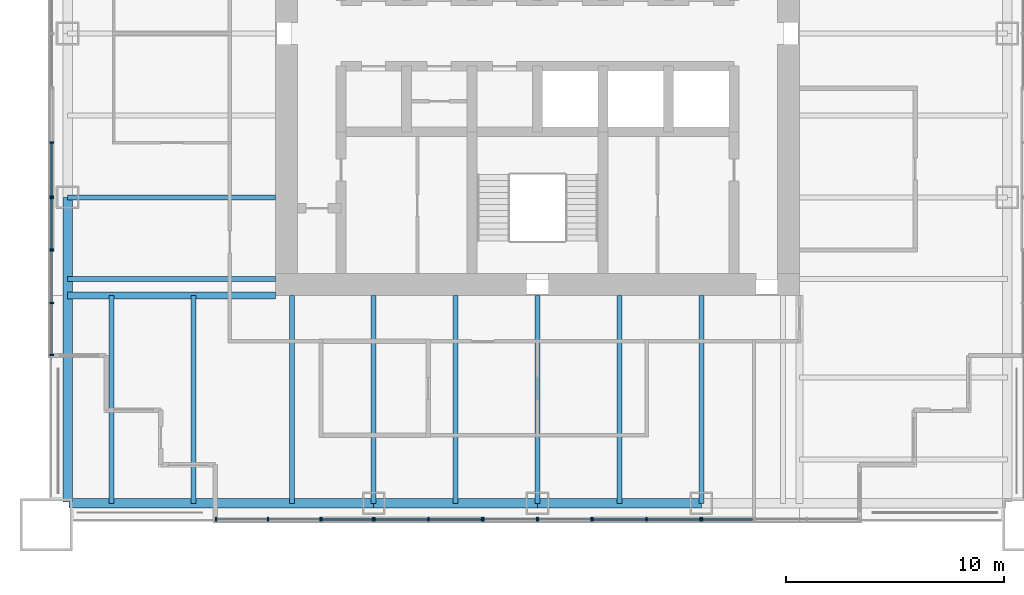
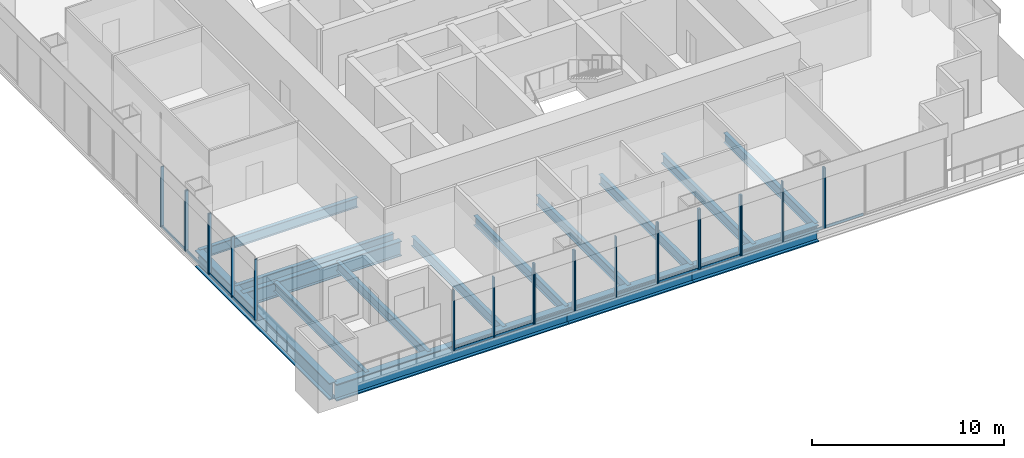
# One storey, part 2 of 13: 37 members, 15 beams, 10 elements without a shape of their own.
"""IFC4 building model written with IfcOpenShell, lengths in metres."""

from ifc_helpers import new_model, si_unit, direction, frame, origin, origin_2d, place, context, subcontext, project, spatial, rectangle, i_section, extrude, material, material_profile, profile_set, type_object, element, aggregate, save


model = new_model("IFC4")

# Units and contexts
model_context = context("Model", 3, precision=1e-05, world=origin(), true_north=direction((0.0, 1.0)))
body_context = subcontext(model_context, "Body", "Model", "MODEL_VIEW")
ifc_project = project(units=[si_unit("LENGTHUNIT", "METRE"), si_unit("AREAUNIT", "SQUARE_METRE"), si_unit("VOLUMEUNIT", "CUBIC_METRE"), si_unit("PLANEANGLEUNIT", "RADIAN"), si_unit("MASSUNIT", "GRAM", prefix="KILO")], contexts=[model_context])

# Site, building, storey
site_placement = place(None, origin())
site = spatial("IfcSite", under=ifc_project, at=site_placement, CompositionType="ELEMENT")
building_placement = place(site_placement, origin())
building = spatial("IfcBuilding", under=site, at=building_placement, Name="Tarangal Relay Tower", CompositionType="ELEMENT")
storey_placement = place(building_placement, frame((0.0, 0.0, 237.89990234375)))
storey = spatial("IfcBuildingStorey", under=building, at=storey_placement, Name="L51", CompositionType="ELEMENT", Elevation=237.89990234375)

# Beams
ifc_material_1 = material(Name="Steel ASTM A992", Category="steel")
ifc_material_profile_1 = material_profile(ifc_material_1, i_section(OverallWidth=0.227783203125, OverallDepth=0.60205078125, WebThickness=0.010498046875, FlangeThickness=0.014892578125, at=origin_2d()), Name="W24X68")
ifc_profile_set_1 = profile_set([ifc_material_profile_1], Name="Steel ASTM A992")
beam_type_1 = type_object("IfcBeamType", Name="Corner beam W24X68", PredefinedType="JOIST", material=ifc_profile_set_1)
for number, where, z_axis, x_axis, name in (
    (1, (-15.75, -12.0, -0.450927734375), (0.0, -1.0, 0.0), (1.0, 0.0, 0.0), "Corner beam CB11 S L51"),
    (2, (-19.5, -12.0, -0.450927734375), (0.0, -1.0, 0.0), (1.0, 0.0, 0.0), "Corner beam CB11 S L51"),
):
    element("IfcBeam", number, at=place(storey_placement, frame(where, z_axis=z_axis, x_axis=x_axis)), inside=storey, type_object=beam_type_1, Name=name, PredefinedType="JOIST", context=body_context, shape_type="SweptSolid", body=[
        extrude(i_section(OverallWidth=0.227783203125, OverallDepth=0.60205078125, WebThickness=0.010498046875, FlangeThickness=0.014892578125, at=origin_2d()), origin(), (0.0, 0.0, 1.0), 9.514892578125),
    ])
ifc_material_profile_2 = material_profile(ifc_material_1, i_section(OverallWidth=0.307373046875, OverallDepth=0.9423828125, WebThickness=0.022216796875, FlangeThickness=0.039794921875, at=origin_2d()), Name="W36X232")
ifc_profile_set_2 = profile_set([ifc_material_profile_2], Name="Steel ASTM A992")
beam_type_2 = type_object("IfcBeamType", Name="Corner girder W36X232", PredefinedType="BEAM", material=ifc_profile_set_2)
beam_placement = place(storey_placement, frame((-12.0, -12.0, -0.62109375), z_axis=(-1.0, 0.0, 0.0), x_axis=(0.0, -1.0, 0.0)))
element("IfcBeam", 3, at=beam_placement, inside=storey, type_object=beam_type_2, Name="Corner girder CG4 S L51", PredefinedType="BEAM", context=body_context, shape_type="SweptSolid", body=[
    extrude(i_section(OverallWidth=0.307373046875, OverallDepth=0.9423828125, WebThickness=0.022216796875, FlangeThickness=0.039794921875, at=origin_2d()), origin(), (0.0, 0.0, 1.0), 9.514892578125),
])
ifc_material_profile_3 = material_profile(ifc_material_1, i_section(OverallWidth=0.41650390625, OverallDepth=1.0693359375, WebThickness=0.0390625, FlangeThickness=0.070068359375, at=origin_2d()), Name="W40X503")
ifc_profile_set_3 = profile_set([ifc_material_profile_3], Name="Steel ASTM A992")
beam_type_3 = type_object("IfcBeamType", Name="Edge girder W40X503", PredefinedType="SPANDREL", material=ifc_profile_set_3)
for number, where, z_axis, x_axis, name in (
    (4, (7.5, -21.514892578125, -0.6845703125), (-1.0, 0.0, 0.0), (0.0, -1.0, 0.0), "Edge girder EG8 S L51"),
    (5, (0.0, -21.514892578125, -0.6845703125), (-1.0, 0.0, 0.0), (0.0, -1.0, 0.0), "Edge girder EG8 S L51"),
):
    element("IfcBeam", number, at=place(storey_placement, frame(where, z_axis=z_axis, x_axis=x_axis)), inside=storey, type_object=beam_type_3, Name=name, PredefinedType="SPANDREL", context=body_context, shape_type="SweptSolid", body=[
        extrude(i_section(OverallWidth=0.41650390625, OverallDepth=1.0693359375, WebThickness=0.0390625, FlangeThickness=0.070068359375, at=origin_2d()), origin(), (0.0, 0.0, 1.0), 7.5),
    ])
for number, where, z_axis, x_axis, name in (
    (6, (-7.5, -21.514892578125, -0.6845703125), (-1.0, 0.0, 0.0), (0.0, -1.0, 0.0), "Edge girder EG8 S L51"),
    (7, (-21.514892578125, -21.449951171875, -0.6845703125), (0.0, 1.0, 0.0), (-1.0, 0.0, 0.0), "Edge girder EG8 W L51"),
):
    element("IfcBeam", number, at=place(storey_placement, frame(where, z_axis=z_axis, x_axis=x_axis)), inside=storey, type_object=beam_type_3, Name=name, PredefinedType="SPANDREL", context=body_context, shape_type="SweptSolid", body=[
        extrude(i_section(OverallWidth=0.41650390625, OverallDepth=1.0693359375, WebThickness=0.0390625, FlangeThickness=0.070068359375, at=origin_2d()), origin(), (0.0, 0.0, 1.0), 13.949951171875),
    ])
ifc_material_profile_4 = material_profile(ifc_material_1, i_section(OverallWidth=0.22900390625, OverallDepth=0.612060546875, WebThickness=0.011962890625, FlangeThickness=0.01953125, at=origin_2d()), Name="W24X84")
ifc_profile_set_4 = profile_set([ifc_material_profile_4], Name="Steel ASTM A992")
beam_type_4 = type_object("IfcBeamType", Name="Floor beam W24X84", PredefinedType="BEAM", material=ifc_profile_set_4)
for number, where, z_axis, x_axis, name in (
    (8, (7.5, -12.0, -0.455810546875), (0.0, -1.0, 0.0), (1.0, 0.0, 0.0), "Floor beam RB12 S L51"),
    (9, (3.75, -12.0, -0.455810546875), (0.0, -1.0, 0.0), (1.0, 0.0, 0.0), "Floor beam RB12 S L51"),
    (10, (0.0, -12.0, -0.455810546875), (0.0, -1.0, 0.0), (1.0, 0.0, 0.0), "Floor beam RB12 S L51"),
    (11, (-3.75, -12.0, -0.455810546875), (0.0, -1.0, 0.0), (1.0, 0.0, 0.0), "Floor beam RB12 S L51"),
    (12, (-7.5, -12.0, -0.455810546875), (0.0, -1.0, 0.0), (1.0, 0.0, 0.0), "Floor beam RB12 S L51"),
    (13, (-11.25, -12.0, -0.455810546875), (0.0, -1.0, 0.0), (1.0, 0.0, 0.0), "Floor beam RB12 S L51"),
    (14, (-12.0, -11.25, -0.455810546875), (-1.0, 0.0, 0.0), (0.0, -1.0, 0.0), "Floor beam RB12 W L51"),
    (15, (-12.0, -7.5, -0.455810546875), (-1.0, 0.0, 0.0), (0.0, -1.0, 0.0), "Floor beam RB12 W L51"),
):
    element("IfcBeam", number, at=place(storey_placement, frame(where, z_axis=z_axis, x_axis=x_axis)), inside=storey, type_object=beam_type_4, Name=name, PredefinedType="BEAM", context=body_context, shape_type="SweptSolid", body=[
        extrude(i_section(OverallWidth=0.22900390625, OverallDepth=0.612060546875, WebThickness=0.011962890625, FlangeThickness=0.01953125, at=origin_2d()), origin(), (0.0, 0.0, 1.0), 9.514892578125),
    ])

# Curtain wall, members
ifc_material_2 = material(Name="Unitised curtain wall, dark glass and black aluminium", Category="aluminium")
curtain_wall_type_1 = type_object("IfcCurtainWallType", Name="Curtain wall CW-A", PredefinedType="USERDEFINED", material=ifc_material_2)
curtain_wall_1_placement = place(storey_placement, origin())
curtain_wall_1 = element("IfcCurtainWall", 16, at=curtain_wall_1_placement, inside=storey, type_object=curtain_wall_type_1, Name="Curtain wall CW-A S facade L51", ObjectType="UNITISED CURTAIN WALL", PredefinedType="USERDEFINED")
ifc_material_3 = material(Name="Black anodised aluminium mullion", Category="aluminium")
ifc_material_profile_5 = material_profile(ifc_material_3, rectangle(XDim=0.175048828125, YDim=0.06494140625, at=origin_2d()), Name="CW-AM 65X175")
ifc_profile_set_5 = profile_set([ifc_material_profile_5], Name="Black anodised aluminium mullion")
member_type_1 = type_object("IfcMemberType", Name="Mullion CW-A 65 x 175", PredefinedType="MULLION", material=ifc_profile_set_5)
member_1_placement = place(storey_placement, frame((2.467529296875, -22.25, 0.0), z_axis=(0.0, 0.0, 1.0), x_axis=(0.0, -1.0, 0.0)))
member_1 = element("IfcMember", 17, at=member_1_placement, type_object=member_type_1, Name="CW-A mullion 1", PredefinedType="MULLION", context=body_context, shape_type="SweptSolid", body=[
    extrude(rectangle(XDim=0.175048828125, YDim=0.06494140625, at=origin_2d()), origin(), (0.0, 0.0, 1.0), 3.85009765625),
])
member_2_placement = place(storey_placement, frame((0.032470703125, -22.25, 0.0), z_axis=(0.0, 0.0, 1.0), x_axis=(0.0, -1.0, 0.0)))
member_2 = element("IfcMember", 18, at=member_2_placement, type_object=member_type_1, Name="CW-A mullion 2", PredefinedType="MULLION", context=body_context, shape_type="SweptSolid", body=[
    extrude(rectangle(XDim=0.175048828125, YDim=0.06494140625, at=origin_2d()), origin(), (0.0, 0.0, 1.0), 3.85009765625),
])

curtain_wall_2_placement = place(storey_placement, origin())
curtain_wall_2 = element("IfcCurtainWall", 19, at=curtain_wall_2_placement, inside=storey, type_object=curtain_wall_type_1, Name="Curtain wall CW-A S facade L51", ObjectType="UNITISED CURTAIN WALL", PredefinedType="USERDEFINED")
member_3_placement = place(storey_placement, frame((-0.032470703125, -22.25, 0.0), z_axis=(0.0, 0.0, 1.0), x_axis=(0.0, -1.0, 0.0)))
member_3 = element("IfcMember", 20, at=member_3_placement, type_object=member_type_1, Name="CW-A mullion 1", PredefinedType="MULLION", context=body_context, shape_type="SweptSolid", body=[
    extrude(rectangle(XDim=0.175048828125, YDim=0.06494140625, at=origin_2d()), origin(), (0.0, 0.0, 1.0), 3.85009765625),
])
member_4_placement = place(storey_placement, frame((-2.467529296875, -22.25, 0.0), z_axis=(0.0, 0.0, 1.0), x_axis=(0.0, -1.0, 0.0)))
member_4 = element("IfcMember", 21, at=member_4_placement, type_object=member_type_1, Name="CW-A mullion 2", PredefinedType="MULLION", context=body_context, shape_type="SweptSolid", body=[
    extrude(rectangle(XDim=0.175048828125, YDim=0.06494140625, at=origin_2d()), origin(), (0.0, 0.0, 1.0), 3.85009765625),
])

curtain_wall_3_placement = place(storey_placement, origin())
curtain_wall_3 = element("IfcCurtainWall", 22, at=curtain_wall_3_placement, inside=storey, type_object=curtain_wall_type_1, Name="Curtain wall CW-A S facade L51", ObjectType="UNITISED CURTAIN WALL", PredefinedType="USERDEFINED")
member_5_placement = place(storey_placement, frame((-9.94921875, -22.25, 0.0), z_axis=(0.0, 0.0, 1.0), x_axis=(0.0, -1.0, 0.0)))
member_5 = element("IfcMember", 23, at=member_5_placement, type_object=member_type_1, Name="CW-A mullion 1", PredefinedType="MULLION", context=body_context, shape_type="SweptSolid", body=[
    extrude(rectangle(XDim=0.175048828125, YDim=0.06494140625, at=origin_2d()), origin(), (0.0, 0.0, 1.0), 3.85009765625),
])
member_6_placement = place(storey_placement, frame((-12.333251953125, -22.25, 0.0), z_axis=(0.0, 0.0, 1.0), x_axis=(0.0, -1.0, 0.0)))
member_6 = element("IfcMember", 24, at=member_6_placement, type_object=member_type_1, Name="CW-A mullion 2", PredefinedType="MULLION", context=body_context, shape_type="SweptSolid", body=[
    extrude(rectangle(XDim=0.175048828125, YDim=0.06494140625, at=origin_2d()), origin(), (0.0, 0.0, 1.0), 3.85009765625),
])
member_7_placement = place(storey_placement, frame((-14.717529296875, -22.25, 0.0), z_axis=(0.0, 0.0, 1.0), x_axis=(0.0, -1.0, 0.0)))
member_7 = element("IfcMember", 25, at=member_7_placement, type_object=member_type_1, Name="CW-A mullion 3", PredefinedType="MULLION", context=body_context, shape_type="SweptSolid", body=[
    extrude(rectangle(XDim=0.175048828125, YDim=0.06494140625, at=origin_2d()), origin(), (0.0, 0.0, 1.0), 3.85009765625),
])

curtain_wall_4_placement = place(storey_placement, origin())
curtain_wall_4 = element("IfcCurtainWall", 26, at=curtain_wall_4_placement, inside=storey, type_object=curtain_wall_type_1, Name="Curtain wall CW-A W facade L51", ObjectType="UNITISED CURTAIN WALL", PredefinedType="USERDEFINED")
member_8_placement = place(storey_placement, frame((-22.25, -14.717529296875, 0.0), z_axis=(0.0, 0.0, 1.0), x_axis=(-1.0, 0.0, 0.0)))
member_8 = element("IfcMember", 27, at=member_8_placement, type_object=member_type_1, Name="CW-A mullion 1", PredefinedType="MULLION", context=body_context, shape_type="SweptSolid", body=[
    extrude(rectangle(XDim=0.175048828125, YDim=0.06494140625, at=origin_2d()), origin(), (0.0, 0.0, 1.0), 3.85009765625),
])
member_9_placement = place(storey_placement, frame((-22.25, -12.333251953125, 0.0), z_axis=(0.0, 0.0, 1.0), x_axis=(-1.0, 0.0, 0.0)))
member_9 = element("IfcMember", 28, at=member_9_placement, type_object=member_type_1, Name="CW-A mullion 2", PredefinedType="MULLION", context=body_context, shape_type="SweptSolid", body=[
    extrude(rectangle(XDim=0.175048828125, YDim=0.06494140625, at=origin_2d()), origin(), (0.0, 0.0, 1.0), 3.85009765625),
])
member_10_placement = place(storey_placement, frame((-22.25, -9.94921875, 0.0), z_axis=(0.0, 0.0, 1.0), x_axis=(-1.0, 0.0, 0.0)))
member_10 = element("IfcMember", 29, at=member_10_placement, type_object=member_type_1, Name="CW-A mullion 3", PredefinedType="MULLION", context=body_context, shape_type="SweptSolid", body=[
    extrude(rectangle(XDim=0.175048828125, YDim=0.06494140625, at=origin_2d()), origin(), (0.0, 0.0, 1.0), 3.85009765625),
])

# Curtain wall, member
ifc_material_4 = material(Name="Unitised curtain wall frame, black aluminium, with metal clad infill walls", Category="aluminium")
curtain_wall_type_2 = type_object("IfcCurtainWallType", Name="Curtain wall CW-AO", PredefinedType="USERDEFINED", material=ifc_material_4)
curtain_wall_5_placement = place(storey_placement, origin())
curtain_wall_5 = element("IfcCurtainWall", 30, at=curtain_wall_5_placement, inside=storey, type_object=curtain_wall_type_2, Name="Curtain wall CW-AO S facade L51", ObjectType="UNITISED CURTAIN WALL", PredefinedType="USERDEFINED")
ifc_material_profile_6 = material_profile(ifc_material_3, rectangle(XDim=0.175048828125, YDim=0.06494140625, at=origin_2d()), Name="CW-AOM 65X175")
ifc_profile_set_6 = profile_set([ifc_material_profile_6], Name="Black anodised aluminium mullion")
member_type_2 = type_object("IfcMemberType", Name="Mullion CW-AO 65 x 175", PredefinedType="MULLION", material=ifc_profile_set_6)
member_11_placement = place(storey_placement, frame((7.532470703125, -22.25, 0.0), z_axis=(0.0, 0.0, 1.0), x_axis=(0.0, -1.0, 0.0)))
member_11 = element("IfcMember", 31, at=member_11_placement, type_object=member_type_2, Name="CW-AO mullion 2", PredefinedType="MULLION", context=body_context, shape_type="SweptSolid", body=[
    extrude(rectangle(XDim=0.175048828125, YDim=0.06494140625, at=origin_2d()), origin(), (0.0, 0.0, 1.0), 3.85009765625),
])

# Curtain wall, members
curtain_wall_6_placement = place(storey_placement, origin())
curtain_wall_6 = element("IfcCurtainWall", 32, at=curtain_wall_6_placement, inside=storey, type_object=curtain_wall_type_2, Name="Curtain wall CW-AO S facade L51", ObjectType="UNITISED CURTAIN WALL", PredefinedType="USERDEFINED")
member_12_placement = place(storey_placement, frame((7.467529296875, -22.25, 0.0), z_axis=(0.0, 0.0, 1.0), x_axis=(0.0, -1.0, 0.0)))
member_12 = element("IfcMember", 33, at=member_12_placement, type_object=member_type_2, Name="CW-AO mullion 1", PredefinedType="MULLION", context=body_context, shape_type="SweptSolid", body=[
    extrude(rectangle(XDim=0.175048828125, YDim=0.06494140625, at=origin_2d()), origin(), (0.0, 0.0, 1.0), 3.85009765625),
])
member_13_placement = place(storey_placement, frame((5.0, -22.25, 0.0), z_axis=(0.0, 0.0, 1.0), x_axis=(0.0, -1.0, 0.0)))
member_13 = element("IfcMember", 34, at=member_13_placement, type_object=member_type_2, Name="CW-AO mullion 2", PredefinedType="MULLION", context=body_context, shape_type="SweptSolid", body=[
    extrude(rectangle(XDim=0.175048828125, YDim=0.06494140625, at=origin_2d()), origin(), (0.0, 0.0, 1.0), 3.85009765625),
])
member_14_placement = place(storey_placement, frame((2.532470703125, -22.25, 0.0), z_axis=(0.0, 0.0, 1.0), x_axis=(0.0, -1.0, 0.0)))
member_14 = element("IfcMember", 35, at=member_14_placement, type_object=member_type_2, Name="CW-AO mullion 3", PredefinedType="MULLION", context=body_context, shape_type="SweptSolid", body=[
    extrude(rectangle(XDim=0.175048828125, YDim=0.06494140625, at=origin_2d()), origin(), (0.0, 0.0, 1.0), 3.85009765625),
])

curtain_wall_7_placement = place(storey_placement, origin())
curtain_wall_7 = element("IfcCurtainWall", 36, at=curtain_wall_7_placement, inside=storey, type_object=curtain_wall_type_2, Name="Curtain wall CW-AO S facade L51", ObjectType="UNITISED CURTAIN WALL", PredefinedType="USERDEFINED")
member_15_placement = place(storey_placement, frame((-2.532470703125, -22.25, 0.0), z_axis=(0.0, 0.0, 1.0), x_axis=(0.0, -1.0, 0.0)))
member_15 = element("IfcMember", 37, at=member_15_placement, type_object=member_type_2, Name="CW-AO mullion 1", PredefinedType="MULLION", context=body_context, shape_type="SweptSolid", body=[
    extrude(rectangle(XDim=0.175048828125, YDim=0.06494140625, at=origin_2d()), origin(), (0.0, 0.0, 1.0), 3.85009765625),
])
member_16_placement = place(storey_placement, frame((-5.0, -22.25, 0.0), z_axis=(0.0, 0.0, 1.0), x_axis=(0.0, -1.0, 0.0)))
member_16 = element("IfcMember", 38, at=member_16_placement, type_object=member_type_2, Name="CW-AO mullion 2", PredefinedType="MULLION", context=body_context, shape_type="SweptSolid", body=[
    extrude(rectangle(XDim=0.175048828125, YDim=0.06494140625, at=origin_2d()), origin(), (0.0, 0.0, 1.0), 3.85009765625),
])
member_17_placement = place(storey_placement, frame((-7.467529296875, -22.25, 0.0), z_axis=(0.0, 0.0, 1.0), x_axis=(0.0, -1.0, 0.0)))
member_17 = element("IfcMember", 39, at=member_17_placement, type_object=member_type_2, Name="CW-AO mullion 3", PredefinedType="MULLION", context=body_context, shape_type="SweptSolid", body=[
    extrude(rectangle(XDim=0.175048828125, YDim=0.06494140625, at=origin_2d()), origin(), (0.0, 0.0, 1.0), 3.85009765625),
])

curtain_wall_8_placement = place(storey_placement, origin())
curtain_wall_8 = element("IfcCurtainWall", 40, at=curtain_wall_8_placement, inside=storey, type_object=curtain_wall_type_2, Name="Curtain wall CW-AO S facade L51", ObjectType="UNITISED CURTAIN WALL", PredefinedType="USERDEFINED")
member_18_placement = place(storey_placement, frame((-7.532470703125, -22.25, 0.0), z_axis=(0.0, 0.0, 1.0), x_axis=(0.0, -1.0, 0.0)))
member_18 = element("IfcMember", 41, at=member_18_placement, type_object=member_type_2, Name="CW-AO mullion 1", PredefinedType="MULLION", context=body_context, shape_type="SweptSolid", body=[
    extrude(rectangle(XDim=0.175048828125, YDim=0.06494140625, at=origin_2d()), origin(), (0.0, 0.0, 1.0), 3.85009765625),
])
member_19_placement = place(storey_placement, frame((-9.88427734375, -22.25, 0.0), z_axis=(0.0, 0.0, 1.0), x_axis=(0.0, -1.0, 0.0)))
member_19 = element("IfcMember", 42, at=member_19_placement, type_object=member_type_2, Name="CW-AO mullion 2", PredefinedType="MULLION", context=body_context, shape_type="SweptSolid", body=[
    extrude(rectangle(XDim=0.175048828125, YDim=0.06494140625, at=origin_2d()), origin(), (0.0, 0.0, 1.0), 3.85009765625),
])

curtain_wall_9_placement = place(storey_placement, origin())
curtain_wall_9 = element("IfcCurtainWall", 43, at=curtain_wall_9_placement, inside=storey, type_object=curtain_wall_type_2, Name="Curtain wall CW-AO W facade L51", ObjectType="UNITISED CURTAIN WALL", PredefinedType="USERDEFINED")
member_20_placement = place(storey_placement, frame((-22.25, -9.88427734375, 0.0), z_axis=(0.0, 0.0, 1.0), x_axis=(-1.0, 0.0, 0.0)))
member_20 = element("IfcMember", 44, at=member_20_placement, type_object=member_type_2, Name="CW-AO mullion 1", PredefinedType="MULLION", context=body_context, shape_type="SweptSolid", body=[
    extrude(rectangle(XDim=0.175048828125, YDim=0.06494140625, at=origin_2d()), origin(), (0.0, 0.0, 1.0), 3.85009765625),
])
member_21_placement = place(storey_placement, frame((-22.25, -7.532470703125, 0.0), z_axis=(0.0, 0.0, 1.0), x_axis=(-1.0, 0.0, 0.0)))
member_21 = element("IfcMember", 45, at=member_21_placement, type_object=member_type_2, Name="CW-AO mullion 2", PredefinedType="MULLION", context=body_context, shape_type="SweptSolid", body=[
    extrude(rectangle(XDim=0.175048828125, YDim=0.06494140625, at=origin_2d()), origin(), (0.0, 0.0, 1.0), 3.85009765625),
])

curtain_wall_10_placement = place(storey_placement, origin())
curtain_wall_10 = element("IfcCurtainWall", 46, at=curtain_wall_10_placement, inside=storey, type_object=curtain_wall_type_2, Name="Curtain wall CW-AO W facade L51", ObjectType="UNITISED CURTAIN WALL", PredefinedType="USERDEFINED")
member_22_placement = place(storey_placement, frame((-22.25, -7.467529296875, 0.0), z_axis=(0.0, 0.0, 1.0), x_axis=(-1.0, 0.0, 0.0)))
member_22 = element("IfcMember", 47, at=member_22_placement, type_object=member_type_2, Name="CW-AO mullion 1", PredefinedType="MULLION", context=body_context, shape_type="SweptSolid", body=[
    extrude(rectangle(XDim=0.175048828125, YDim=0.06494140625, at=origin_2d()), origin(), (0.0, 0.0, 1.0), 3.85009765625),
])
member_23_placement = place(storey_placement, frame((-22.25, -5.0, 0.0), z_axis=(0.0, 0.0, 1.0), x_axis=(-1.0, 0.0, 0.0)))
member_23 = element("IfcMember", 48, at=member_23_placement, type_object=member_type_2, Name="CW-AO mullion 2", PredefinedType="MULLION", context=body_context, shape_type="SweptSolid", body=[
    extrude(rectangle(XDim=0.175048828125, YDim=0.06494140625, at=origin_2d()), origin(), (0.0, 0.0, 1.0), 3.85009765625),
])

# Member
ifc_material_5 = material(Name="Black anodised aluminium transom", Category="aluminium")
ifc_material_profile_7 = material_profile(ifc_material_5, rectangle(XDim=0.06494140625, YDim=0.14990234375, at=origin_2d()), Name="CW-AT 65X150")
ifc_profile_set_7 = profile_set([ifc_material_profile_7], Name="Black anodised aluminium transom")
member_type_3 = type_object("IfcMemberType", Name="Transom CW-A 65 x 150", PredefinedType="USERDEFINED", material=ifc_profile_set_7)
member_24_placement = place(storey_placement, frame((2.43505859375, -22.25, 0.03271484375), z_axis=(-1.0, 0.0, 0.0), x_axis=(0.0, -1.0, 0.0)))
member_24 = element("IfcMember", 49, at=member_24_placement, type_object=member_type_3, Name="CW-A transom 1.1", ObjectType="TRANSOM", PredefinedType="USERDEFINED", context=body_context, shape_type="SweptSolid", body=[
    extrude(rectangle(XDim=0.06494140625, YDim=0.14990234375, at=origin_2d()), origin(), (0.0, 0.0, 1.0), 2.3701171875),
])

aggregate(curtain_wall_1, [member_1, member_2, member_24])

member_25_placement = place(storey_placement, frame((-0.06494140625, -22.25, 0.03271484375), z_axis=(-1.0, 0.0, 0.0), x_axis=(0.0, -1.0, 0.0)))
member_25 = element("IfcMember", 50, at=member_25_placement, type_object=member_type_3, Name="CW-A transom 1.1", ObjectType="TRANSOM", PredefinedType="USERDEFINED", context=body_context, shape_type="SweptSolid", body=[
    extrude(rectangle(XDim=0.06494140625, YDim=0.14990234375, at=origin_2d()), origin(), (0.0, 0.0, 1.0), 2.3701171875),
])

aggregate(curtain_wall_2, [member_3, member_4, member_25])

member_26_placement = place(storey_placement, frame((-9.981689453125, -22.25, 0.03271484375), z_axis=(-1.0, 0.0, 0.0), x_axis=(0.0, -1.0, 0.0)))
member_26 = element("IfcMember", 51, at=member_26_placement, type_object=member_type_3, Name="CW-A transom 1.1", ObjectType="TRANSOM", PredefinedType="USERDEFINED", context=body_context, shape_type="SweptSolid", body=[
    extrude(rectangle(XDim=0.06494140625, YDim=0.14990234375, at=origin_2d()), origin(), (0.0, 0.0, 1.0), 2.319091796875),
])

member_27_placement = place(storey_placement, frame((-12.365966796875, -22.25, 0.03271484375), z_axis=(-1.0, 0.0, 0.0), x_axis=(0.0, -1.0, 0.0)))
member_27 = element("IfcMember", 52, at=member_27_placement, type_object=member_type_3, Name="CW-A transom 2.1", ObjectType="TRANSOM", PredefinedType="USERDEFINED", context=body_context, shape_type="SweptSolid", body=[
    extrude(rectangle(XDim=0.06494140625, YDim=0.14990234375, at=origin_2d()), origin(), (0.0, 0.0, 1.0), 2.319091796875),
])

aggregate(curtain_wall_3, [member_5, member_6, member_7, member_26, member_27])

member_28_placement = place(storey_placement, frame((-22.25, -14.68505859375, 0.03271484375), z_axis=(0.0, 1.0, 0.0), x_axis=(-1.0, 0.0, 0.0)))
member_28 = element("IfcMember", 53, at=member_28_placement, type_object=member_type_3, Name="CW-A transom 1.1", ObjectType="TRANSOM", PredefinedType="USERDEFINED", context=body_context, shape_type="SweptSolid", body=[
    extrude(rectangle(XDim=0.06494140625, YDim=0.14990234375, at=origin_2d()), origin(), (0.0, 0.0, 1.0), 2.319091796875),
])

member_29_placement = place(storey_placement, frame((-22.25, -12.30078125, 0.03271484375), z_axis=(0.0, 1.0, 0.0), x_axis=(-1.0, 0.0, 0.0)))
member_29 = element("IfcMember", 54, at=member_29_placement, type_object=member_type_3, Name="CW-A transom 2.1", ObjectType="TRANSOM", PredefinedType="USERDEFINED", context=body_context, shape_type="SweptSolid", body=[
    extrude(rectangle(XDim=0.06494140625, YDim=0.14990234375, at=origin_2d()), origin(), (0.0, 0.0, 1.0), 2.319091796875),
])

aggregate(curtain_wall_4, [member_8, member_9, member_10, member_28, member_29])

ifc_material_profile_8 = material_profile(ifc_material_5, rectangle(XDim=0.06494140625, YDim=0.14990234375, at=origin_2d()), Name="CW-AOT 65X150")
ifc_profile_set_8 = profile_set([ifc_material_profile_8], Name="Black anodised aluminium transom")
member_type_4 = type_object("IfcMemberType", Name="Transom CW-AO 65 x 150", PredefinedType="USERDEFINED", material=ifc_profile_set_8)
member_30_placement = place(storey_placement, frame((9.851806640625, -22.25, 0.03271484375), z_axis=(-1.0, 0.0, 0.0), x_axis=(0.0, -1.0, 0.0)))
member_30 = element("IfcMember", 55, at=member_30_placement, type_object=member_type_4, Name="CW-AO transom 1.1", ObjectType="TRANSOM", PredefinedType="USERDEFINED", context=body_context, shape_type="SweptSolid", body=[
    extrude(rectangle(XDim=0.06494140625, YDim=0.14990234375, at=origin_2d()), origin(), (0.0, 0.0, 1.0), 2.286865234375),
])

aggregate(curtain_wall_5, [member_11, member_30])

member_31_placement = place(storey_placement, frame((7.43505859375, -22.25, 0.03271484375), z_axis=(-1.0, 0.0, 0.0), x_axis=(0.0, -1.0, 0.0)))
member_31 = element("IfcMember", 56, at=member_31_placement, type_object=member_type_4, Name="CW-AO transom 1.1", ObjectType="TRANSOM", PredefinedType="USERDEFINED", context=body_context, shape_type="SweptSolid", body=[
    extrude(rectangle(XDim=0.06494140625, YDim=0.14990234375, at=origin_2d()), origin(), (0.0, 0.0, 1.0), 2.402587890625),
])

member_32_placement = place(storey_placement, frame((4.967529296875, -22.25, 0.03271484375), z_axis=(-1.0, 0.0, 0.0), x_axis=(0.0, -1.0, 0.0)))
member_32 = element("IfcMember", 57, at=member_32_placement, type_object=member_type_4, Name="CW-AO transom 2.1", ObjectType="TRANSOM", PredefinedType="USERDEFINED", context=body_context, shape_type="SweptSolid", body=[
    extrude(rectangle(XDim=0.06494140625, YDim=0.14990234375, at=origin_2d()), origin(), (0.0, 0.0, 1.0), 2.402587890625),
])

aggregate(curtain_wall_6, [member_12, member_13, member_14, member_31, member_32])

member_33_placement = place(storey_placement, frame((-2.56494140625, -22.25, 0.03271484375), z_axis=(-1.0, 0.0, 0.0), x_axis=(0.0, -1.0, 0.0)))
member_33 = element("IfcMember", 58, at=member_33_placement, type_object=member_type_4, Name="CW-AO transom 1.1", ObjectType="TRANSOM", PredefinedType="USERDEFINED", context=body_context, shape_type="SweptSolid", body=[
    extrude(rectangle(XDim=0.06494140625, YDim=0.14990234375, at=origin_2d()), origin(), (0.0, 0.0, 1.0), 2.402587890625),
])

member_34_placement = place(storey_placement, frame((-5.032470703125, -22.25, 0.03271484375), z_axis=(-1.0, 0.0, 0.0), x_axis=(0.0, -1.0, 0.0)))
member_34 = element("IfcMember", 59, at=member_34_placement, type_object=member_type_4, Name="CW-AO transom 2.1", ObjectType="TRANSOM", PredefinedType="USERDEFINED", context=body_context, shape_type="SweptSolid", body=[
    extrude(rectangle(XDim=0.06494140625, YDim=0.14990234375, at=origin_2d()), origin(), (0.0, 0.0, 1.0), 2.402587890625),
])

aggregate(curtain_wall_7, [member_15, member_16, member_17, member_33, member_34])

member_35_placement = place(storey_placement, frame((-7.56494140625, -22.25, 0.03271484375), z_axis=(-1.0, 0.0, 0.0), x_axis=(0.0, -1.0, 0.0)))
member_35 = element("IfcMember", 60, at=member_35_placement, type_object=member_type_4, Name="CW-AO transom 1.1", ObjectType="TRANSOM", PredefinedType="USERDEFINED", context=body_context, shape_type="SweptSolid", body=[
    extrude(rectangle(XDim=0.06494140625, YDim=0.14990234375, at=origin_2d()), origin(), (0.0, 0.0, 1.0), 2.286865234375),
])

aggregate(curtain_wall_8, [member_18, member_19, member_35])

member_36_placement = place(storey_placement, frame((-22.25, -9.851806640625, 0.03271484375), z_axis=(0.0, 1.0, 0.0), x_axis=(-1.0, 0.0, 0.0)))
member_36 = element("IfcMember", 61, at=member_36_placement, type_object=member_type_4, Name="CW-AO transom 1.1", ObjectType="TRANSOM", PredefinedType="USERDEFINED", context=body_context, shape_type="SweptSolid", body=[
    extrude(rectangle(XDim=0.06494140625, YDim=0.14990234375, at=origin_2d()), origin(), (0.0, 0.0, 1.0), 2.286865234375),
])

aggregate(curtain_wall_9, [member_20, member_21, member_36])

member_37_placement = place(storey_placement, frame((-22.25, -7.43505859375, 0.03271484375), z_axis=(0.0, 1.0, 0.0), x_axis=(-1.0, 0.0, 0.0)))
member_37 = element("IfcMember", 62, at=member_37_placement, type_object=member_type_4, Name="CW-AO transom 1.1", ObjectType="TRANSOM", PredefinedType="USERDEFINED", context=body_context, shape_type="SweptSolid", body=[
    extrude(rectangle(XDim=0.06494140625, YDim=0.14990234375, at=origin_2d()), origin(), (0.0, 0.0, 1.0), 2.402587890625),
])

aggregate(curtain_wall_10, [member_22, member_23, member_37])

save(model, "model.ifc")
